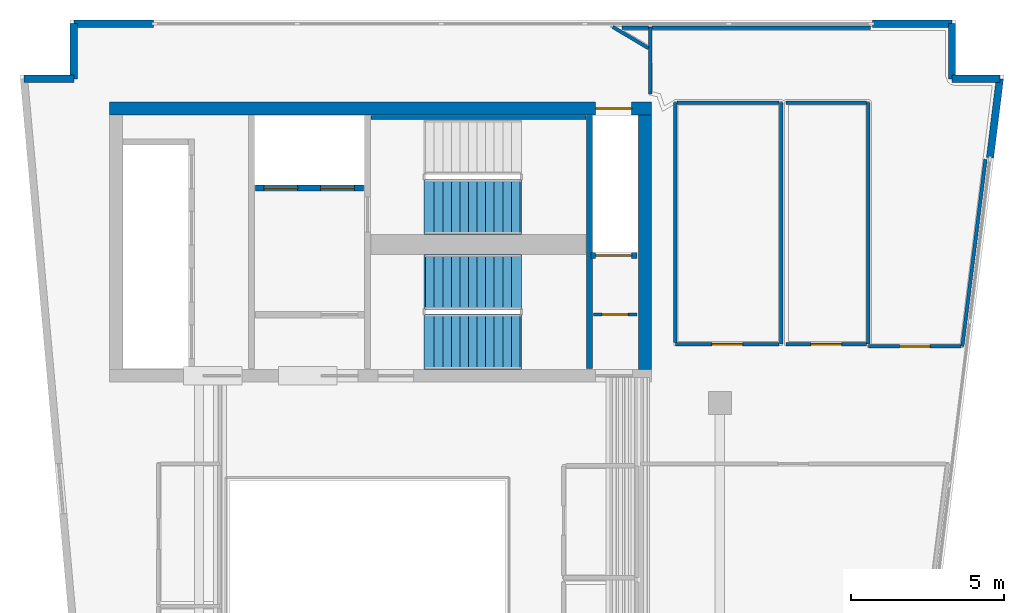
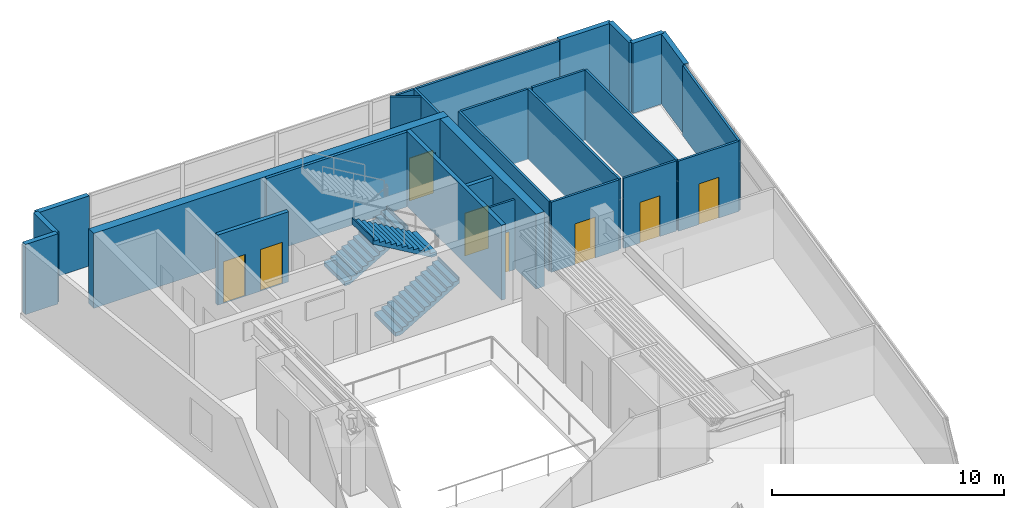
# One storey, part 5 of 8: 27 walls, 8 doors, 3 stair flights, 8 openings, 2 elements without a shape of their own.
"""IFC4 building model written with IfcOpenShell, lengths in metres."""

from ifc_helpers import new_model, si_unit, direction, frame, frame_2d, origin, place, context, subcontext, project, spatial, polyline, rectangle, outline, extrude, material, layer, layer_set, type_object, element, fill, aggregate, save


model = new_model("IFC4")

# Units and contexts
model_context = context("Model", 3, precision=1e-05, world=origin(), true_north=direction((0.0, 1.0)))
body_context = subcontext(model_context, "Body", "Model", "MODEL_VIEW")
ifc_project = project(units=[si_unit("LENGTHUNIT", "METRE"), si_unit("AREAUNIT", "SQUARE_METRE"), si_unit("VOLUMEUNIT", "CUBIC_METRE"), si_unit("PLANEANGLEUNIT", "RADIAN"), si_unit("MASSUNIT", "GRAM", prefix="KILO")], contexts=[model_context])

# Site, building, storey
site_placement = place(None, origin())
site = spatial("IfcSite", under=ifc_project, at=site_placement, CompositionType="ELEMENT")
building_placement = place(site_placement, origin())
building = spatial("IfcBuilding", under=site, at=building_placement, Name="Caeloran Harvest Quay", CompositionType="ELEMENT")
storey_placement = place(building_placement, frame((0.0, 0.0, 260.64990234375)))
storey = spatial("IfcBuildingStorey", under=building, at=storey_placement, Name="L62", CompositionType="ELEMENT", Elevation=260.64990234375)

# Walls
ifc_material_1 = material(Name="Precast concrete C50/60", Category="concrete")
ifc_layer_1 = layer(ifc_material_1, 0.239990234375, Name="Precast concrete C50/60")
ifc_layer_set_1 = layer_set([ifc_layer_1], Name="Precast concrete C50/60")
wall_type_1 = type_object("IfcWallType", Name="ENV-WALL-EW-240", PredefinedType="STANDARD", material=ifc_layer_set_1)
wall_1_placement = place(storey_placement, frame((2.793212890625, 41.580078125, 0.0), z_axis=(0.0, 0.0, 1.0), x_axis=(1.0, 0.0, 0.0)))
element("IfcWall", 1, at=wall_1_placement, inside=storey, type_object=wall_type_1, Name="L62 Exterior Precast Concrete Facade Wall 4", PredefinedType="STANDARD", context=body_context, shape_type="SweptSolid", body=[
    extrude(rectangle(XDim=1.626708984375, YDim=0.239990234375, at=frame_2d((0.8134765625, 0.0))), origin(), (0.0, 0.0, 1.0), 3.7001953125),
])
wall_2_placement = place(storey_placement, frame((4.419921875, 41.580078125, 0.0), z_axis=(0.0, 0.0, 1.0), x_axis=(0.0, 1.0, 0.0)))
element("IfcWall", 2, at=wall_2_placement, inside=storey, type_object=wall_type_1, Name="L62 Exterior Precast Concrete Facade Wall 5", PredefinedType="STANDARD", context=body_context, shape_type="SweptSolid", body=[
    extrude(rectangle(XDim=1.7998046875, YDim=0.239990234375, at=frame_2d((0.89990234375, 0.0))), origin(), (0.0, 0.0, 1.0), 3.7001953125),
])
for number, where, z_axis, x_axis, name in (
    (3, (4.419921875, 43.3798828125, 0.0), (0.0, 0.0, 1.0), (1.0, 0.0, 0.0), "L62 Exterior Facade Corner Pier Wall 6A"),
    (4, (30.47998046875, 43.3798828125, 0.0), (0.0, 0.0, 1.0), (1.0, 0.0, 0.0), "L62 Exterior Facade Corner Pier Wall 6B"),
):
    element("IfcWall", number, at=place(storey_placement, frame(where, z_axis=z_axis, x_axis=x_axis)), inside=storey, type_object=wall_type_1, Name=name, PredefinedType="STANDARD", context=body_context, shape_type="SweptSolid", body=[
        extrude(rectangle(XDim=2.60009765625, YDim=0.239990234375, at=frame_2d((1.300048828125, 0.0))), origin(), (0.0, 0.0, 1.0), 3.7001953125),
    ])
wall_3_placement = place(storey_placement, frame((33.080078125, 43.3798828125, 0.0), z_axis=(0.0, 0.0, 1.0), x_axis=(0.0, -1.0, 0.0)))
element("IfcWall", 5, at=wall_3_placement, inside=storey, type_object=wall_type_1, Name="L62 Exterior Precast Concrete Facade Wall 7", PredefinedType="STANDARD", context=body_context, shape_type="SweptSolid", body=[
    extrude(rectangle(XDim=1.7998046875, YDim=0.239990234375, at=frame_2d((0.89990234375, 0.0))), origin(), (0.0, 0.0, 1.0), 3.7001953125),
])
wall_4_placement = place(storey_placement, frame((33.080078125, 41.580078125, 0.0), z_axis=(0.0, 0.0, 1.0), x_axis=(1.0, 0.0, 0.0)))
element("IfcWall", 6, at=wall_4_placement, inside=storey, type_object=wall_type_1, Name="L62 Exterior Precast Concrete Facade Wall 8", PredefinedType="STANDARD", context=body_context, shape_type="SweptSolid", body=[
    extrude(rectangle(XDim=1.560791015625, YDim=0.239990234375, at=frame_2d((0.7802734375, 0.0))), origin(), (0.0, 0.0, 1.0), 3.7001953125),
])
wall_5_placement = place(storey_placement, frame((34.640869140625, 41.580078125, 0.0), z_axis=(0.0, 0.0, 1.0), x_axis=(-0.123191073593, -0.992382970121, 0.0)))
element("IfcWall", 7, at=wall_5_placement, inside=storey, type_object=wall_type_1, Name="L62 Exterior Facade Corner Pier Wall 9A", PredefinedType="STANDARD", context=body_context, shape_type="SweptSolid", body=[
    extrude(rectangle(XDim=2.60009765625, YDim=0.239990234375, at=frame_2d((1.300048828125, 0.0))), origin(), (0.0, 0.0, 1.0), 3.7001953125),
])

# Wall, opening, door
ifc_material_2 = material(Name="Fire-Resisting Gypsum Core Riser Partition", Category="gypsum")
ifc_layer_2 = layer(ifc_material_2, 0.10009765625, Name="Fire-Resisting Gypsum Core Riser Partition")
ifc_layer_set_2 = layer_set([ifc_layer_2], Name="Fire-Resisting Gypsum Core Riser Partition")
wall_type_2 = type_object("IfcWallType", Name="INT-WALL-PW-100", PredefinedType="PARTITIONING", material=ifc_layer_set_2)
wall_6_placement = place(storey_placement, frame((21.3798828125, 33.889892578125, 0.0), z_axis=(0.0, 0.0, 1.0), x_axis=(1.0, 0.0, 0.0)))
wall_6 = element("IfcWall", 8, at=wall_6_placement, inside=storey, type_object=wall_type_2, Name="L62 Cleaner Store Partition Wall", PredefinedType="PARTITIONING", context=body_context, shape_type="SweptSolid", body=[
    extrude(rectangle(XDim=1.420166015625, YDim=0.10009765625, at=frame_2d((0.7099609375, 0.0))), origin(), (0.0, 0.0, 1.0), 3.7001953125),
])
opening_1_placement = place(wall_6_placement, frame((0.280029296875, 0.0, 0.0)))
opening_1 = element("IfcOpeningElement", 9, at=opening_1_placement, cuts=wall_6, Name="Opening SV-01", PredefinedType="OPENING", context=body_context, shape_type="SweptSolid", body=[
    extrude(rectangle(XDim=0.85009765625, YDim=2.10009765625, at=frame_2d((0.425048828125, 1.050048828125))), frame((0.0, 0.06005859375, 0.0), z_axis=(0.0, -1.0, 0.0), x_axis=(1.0, 0.0, 0.0)), (0.0, 0.0, 1.0), 0.1201171875),
])
ifc_material_3 = material(Name="Galvanized Painted Steel", Category="steel")
door_type_1 = type_object("IfcDoorType", Name="INTDOOR-SV-01", OperationType="NOTDEFINED", PredefinedType="DOOR", material=ifc_material_3)
door_1_placement = place(opening_1_placement, origin())
door_1 = element("IfcDoor", 10, at=door_1_placement, inside=storey, type_object=door_type_1, Name="L62 Cleaner Supply Store Access Door", OperationType="SINGLE_SWING_RIGHT", OverallHeight=2.10009765625, OverallWidth=0.85009765625, PredefinedType="DOOR", context=body_context, shape_type="SweptSolid", body=[
    extrude(rectangle(XDim=0.85009765625, YDim=2.10009765625, at=frame_2d((0.425048828125, 1.050048828125))), frame((0.0, 0.02490234375, 0.0), z_axis=(0.0, -1.0, 0.0), x_axis=(1.0, 0.0, 0.0)), (0.0, 0.0, 1.0), 0.050048828125),
])
fill(opening_1, door_1)

# Wall
ifc_material_4 = material(Name="Single-Stud Acoustic Gypsum Office Partition", Category="gypsum")
ifc_layer_3 = layer(ifc_material_4, 0.112060546875, Name="Single-Stud Acoustic Gypsum Office Partition")
ifc_layer_set_3 = layer_set([ifc_layer_3], Name="Single-Stud Acoustic Gypsum Office Partition")
wall_type_3 = type_object("IfcWallType", Name="INT-WALL-PW-112", PredefinedType="PARTITIONING", material=ifc_layer_set_3)
wall_7_placement = place(storey_placement, frame((27.5, 40.800048828125, 0.0), z_axis=(0.0, 0.0, 1.0), x_axis=(0.0, -1.0, 0.0)))
element("IfcWall", 11, at=wall_7_placement, inside=storey, type_object=wall_type_3, Name="L62 Bioinformatics Briefing Lounge Partition Wall", PredefinedType="PARTITIONING", context=body_context, shape_type="SweptSolid", body=[
    extrude(rectangle(XDim=7.880126953125, YDim=0.112060546875, at=frame_2d((3.93994140625, 0.0))), origin(), (0.0, 0.0, 1.0), 3.7001953125),
])

# Wall, opening, door
wall_8_placement = place(storey_placement, frame((27.43896484375, 32.919921875, 0.0), z_axis=(0.0, 0.0, 1.0), x_axis=(-1.0, 0.0, 0.0)))
wall_8 = element("IfcWall", 12, at=wall_8_placement, inside=storey, type_object=wall_type_3, Name="L62 Bioinformatics Briefing Lounge Partition Wall", PredefinedType="PARTITIONING", context=body_context, shape_type="SweptSolid", body=[
    extrude(rectangle(XDim=3.388916015625, YDim=0.112060546875, at=frame_2d((1.6943359375, 0.0))), origin(), (0.0, 0.0, 1.0), 3.7001953125),
])
opening_2_placement = place(wall_8_placement, frame((1.194580078125, 0.0, 0.0)))
opening_2 = element("IfcOpeningElement", 13, at=opening_2_placement, cuts=wall_8, Name="Opening ID-01", PredefinedType="OPENING", context=body_context, shape_type="SweptSolid", body=[
    extrude(rectangle(XDim=1.0, YDim=2.14990234375, at=frame_2d((0.5, 1.074951171875))), frame((0.0, 0.06591796875, 0.0), z_axis=(0.0, -1.0, 0.0), x_axis=(1.0, 0.0, 0.0)), (0.0, 0.0, 1.0), 0.132080078125),
])
ifc_material_5 = material(Name="FSC Solid-Core Ash Timber and Acoustic Seal", Category="wood")
door_type_2 = type_object("IfcDoorType", Name="INTDOOR-ID-01", OperationType="NOTDEFINED", PredefinedType="DOOR", material=ifc_material_5)
door_2_placement = place(opening_2_placement, origin())
door_2 = element("IfcDoor", 14, at=door_2_placement, inside=storey, type_object=door_type_2, Name="L62 Bioinformatics Briefing Lounge Access Door", OperationType="SINGLE_SWING_RIGHT", OverallHeight=2.14990234375, OverallWidth=1.0, PredefinedType="DOOR", context=body_context, shape_type="SweptSolid", body=[
    extrude(rectangle(XDim=1.0, YDim=2.14990234375, at=frame_2d((0.5, 1.074951171875))), frame((0.0, 0.02490234375, 0.0), z_axis=(0.0, -1.0, 0.0), x_axis=(1.0, 0.0, 0.0)), (0.0, 0.0, 1.0), 0.050048828125),
])
fill(opening_2, door_2)

# Walls
wall_9_placement = place(storey_placement, frame((24.050048828125, 32.98095703125, 0.0), z_axis=(0.0, 0.0, 1.0), x_axis=(0.0, 1.0, 0.0)))
element("IfcWall", 15, at=wall_9_placement, inside=storey, type_object=wall_type_3, Name="L62 Bioinformatics Briefing Lounge Partition Wall", PredefinedType="PARTITIONING", context=body_context, shape_type="SweptSolid", body=[
    extrude(rectangle(XDim=7.819091796875, YDim=0.112060546875, at=frame_2d((3.90966796875, 0.0))), origin(), (0.0, 0.0, 1.0), 3.7001953125),
])
wall_10_placement = place(storey_placement, frame((24.111083984375, 40.800048828125, 0.0), z_axis=(0.0, 0.0, 1.0), x_axis=(1.0, 0.0, 0.0)))
element("IfcWall", 16, at=wall_10_placement, inside=storey, type_object=wall_type_3, Name="L62 Bioinformatics Briefing Lounge Partition Wall", PredefinedType="PARTITIONING", context=body_context, shape_type="SweptSolid", body=[
    extrude(rectangle(XDim=3.327880859375, YDim=0.112060546875, at=frame_2d((1.6640625, 0.0))), origin(), (0.0, 0.0, 1.0), 3.7001953125),
])
wall_11_placement = place(storey_placement, frame((30.35009765625, 40.800048828125, 0.0), z_axis=(0.0, 0.0, 1.0), x_axis=(0.0, -1.0, 0.0)))
element("IfcWall", 17, at=wall_11_placement, inside=storey, type_object=wall_type_3, Name="L62 Seed Imaging Laboratory Partition Wall", PredefinedType="PARTITIONING", context=body_context, shape_type="SweptSolid", body=[
    extrude(rectangle(XDim=7.880126953125, YDim=0.112060546875, at=frame_2d((3.93994140625, 0.0))), origin(), (0.0, 0.0, 1.0), 3.7001953125),
])

# Wall, opening, door
wall_12_placement = place(storey_placement, frame((30.2890625, 32.919921875, 0.0), z_axis=(0.0, 0.0, 1.0), x_axis=(-1.0, 0.0, 0.0)))
wall_12 = element("IfcWall", 18, at=wall_12_placement, inside=storey, type_object=wall_type_3, Name="L62 Seed Imaging Laboratory Partition Wall", PredefinedType="PARTITIONING", context=body_context, shape_type="SweptSolid", body=[
    extrude(rectangle(XDim=2.629150390625, YDim=0.112060546875, at=frame_2d((1.314453125, 0.0))), origin(), (0.0, 0.0, 1.0), 3.7001953125),
])
opening_3_placement = place(wall_12_placement, frame((0.814453125, 0.0, 0.0)))
opening_3 = element("IfcOpeningElement", 19, at=opening_3_placement, cuts=wall_12, Name="Opening ID-01", PredefinedType="OPENING", context=body_context, shape_type="SweptSolid", body=[
    extrude(rectangle(XDim=1.0, YDim=2.14990234375, at=frame_2d((0.5, 1.074951171875))), frame((0.0, 0.06591796875, 0.0), z_axis=(0.0, -1.0, 0.0), x_axis=(1.0, 0.0, 0.0)), (0.0, 0.0, 1.0), 0.132080078125),
])
door_3_placement = place(opening_3_placement, origin())
door_3 = element("IfcDoor", 20, at=door_3_placement, inside=storey, type_object=door_type_2, Name="L62 Seed Imaging Laboratory Access Door", OperationType="SINGLE_SWING_LEFT", OverallHeight=2.14990234375, OverallWidth=1.0, PredefinedType="DOOR", context=body_context, shape_type="SweptSolid", body=[
    extrude(rectangle(XDim=1.0, YDim=2.14990234375, at=frame_2d((0.5, 1.074951171875))), frame((0.0, 0.02490234375, 0.0), z_axis=(0.0, -1.0, 0.0), x_axis=(1.0, 0.0, 0.0)), (0.0, 0.0, 1.0), 0.050048828125),
])
fill(opening_3, door_3)

# Walls
wall_13_placement = place(storey_placement, frame((27.659912109375, 40.800048828125, 0.0), z_axis=(0.0, 0.0, 1.0), x_axis=(1.0, 0.0, 0.0)))
element("IfcWall", 21, at=wall_13_placement, inside=storey, type_object=wall_type_3, Name="L62 Seed Imaging Laboratory Partition Wall", PredefinedType="PARTITIONING", context=body_context, shape_type="SweptSolid", body=[
    extrude(rectangle(XDim=2.629150390625, YDim=0.112060546875, at=frame_2d((1.314453125, 0.0))), origin(), (0.0, 0.0, 1.0), 3.7001953125),
])
wall_14_placement = place(storey_placement, frame((23.22998046875, 41.093017578125, 0.0), z_axis=(0.0, 0.0, 1.0), x_axis=(0.0, 1.0, 0.0)))
element("IfcWall", 22, at=wall_14_placement, inside=storey, type_object=wall_type_3, Name="Private Dining Kitchen Partition Wall", PredefinedType="PARTITIONING", context=body_context, shape_type="SweptSolid", body=[
    extrude(rectangle(XDim=2.181884765625, YDim=0.112060546875, at=frame_2d((1.0908203125, 0.0))), origin(), (0.0, 0.0, 1.0), 3.7001953125),
])
wall_15_placement = place(storey_placement, frame((23.1689453125, 42.580078125, 0.0), z_axis=(0.0, 0.0, 1.0), x_axis=(-0.857763736618, 0.514044134431, 0.0)))
element("IfcWall", 23, at=wall_15_placement, inside=storey, type_object=wall_type_3, Name="Private Dining Kitchen Partition Wall", PredefinedType="PARTITIONING", context=body_context, shape_type="SweptSolid", body=[
    extrude(rectangle(XDim=1.3515625, YDim=0.112060546875, at=frame_2d((0.67578125, 0.0))), origin(), (0.0, 0.0, 1.0), 3.7001953125),
])
wall_16_placement = place(storey_placement, frame((22.30908203125, 43.239990234375, 0.0), z_axis=(0.0, 0.0, 1.0), x_axis=(1.0, 0.0, 0.0)))
element("IfcWall", 24, at=wall_16_placement, inside=storey, type_object=wall_type_3, Name="Private Dining Kitchen Partition Wall", PredefinedType="PARTITIONING", context=body_context, shape_type="SweptSolid", body=[
    extrude(rectangle(XDim=0.85986328125, YDim=0.112060546875, at=frame_2d((0.429931640625, 0.0))), origin(), (0.0, 0.0, 1.0), 3.7001953125),
])
wall_17_placement = place(storey_placement, frame((23.291015625, 43.239990234375, 0.0), z_axis=(0.0, 0.0, 1.0), x_axis=(1.0, 0.0, 0.0)))
element("IfcWall", 25, at=wall_17_placement, inside=storey, type_object=wall_type_3, Name="Private Dining Kitchen Partition Wall", PredefinedType="PARTITIONING", context=body_context, shape_type="SweptSolid", body=[
    extrude(rectangle(XDim=7.1240234375, YDim=0.112060546875, at=frame_2d((3.56201171875, 0.0))), origin(), (0.0, 0.0, 1.0), 3.7001953125),
])
wall_18_placement = place(storey_placement, frame((34.17333984375, 38.95263671875, 0.0), z_axis=(0.0, 0.0, 1.0), x_axis=(-0.123155137196, -0.992387430484, 0.0)))
element("IfcWall", 26, at=wall_18_placement, inside=storey, type_object=wall_type_3, Name="Private Dining Kitchen Partition Wall", PredefinedType="PARTITIONING", context=body_context, shape_type="SweptSolid", body=[
    extrude(rectangle(XDim=6.1494140625, YDim=0.112060546875, at=frame_2d((3.07470703125, 0.0))), origin(), (0.0, 0.0, 1.0), 3.7001953125),
])

# Wall, opening, door
wall_19_placement = place(storey_placement, frame((33.37548828125, 32.85009765625, 0.0), z_axis=(0.0, 0.0, 1.0), x_axis=(-1.0, 0.0, 0.0)))
wall_19 = element("IfcWall", 27, at=wall_19_placement, inside=storey, type_object=wall_type_3, Name="Private Dining Kitchen Partition Wall", PredefinedType="PARTITIONING", context=body_context, shape_type="SweptSolid", body=[
    extrude(rectangle(XDim=3.015380859375, YDim=0.112060546875, at=frame_2d((1.5078125, 0.0))), origin(), (0.0, 0.0, 1.0), 3.7001953125),
])
opening_4_placement = place(wall_19_placement, frame((1.0078125, 0.0, 0.0)))
opening_4 = element("IfcOpeningElement", 28, at=opening_4_placement, cuts=wall_19, Name="Opening ID-01", PredefinedType="OPENING", context=body_context, shape_type="SweptSolid", body=[
    extrude(rectangle(XDim=1.0, YDim=2.14990234375, at=frame_2d((0.5, 1.074951171875))), frame((0.0, 0.06591796875, 0.0), z_axis=(0.0, -1.0, 0.0), x_axis=(1.0, 0.0, 0.0)), (0.0, 0.0, 1.0), 0.132080078125),
])
door_4_placement = place(opening_4_placement, origin())
door_4 = element("IfcDoor", 29, at=door_4_placement, inside=storey, type_object=door_type_2, Name="Private Dining Kitchen Access Door", OperationType="SINGLE_SWING_RIGHT", OverallHeight=2.14990234375, OverallWidth=1.0, PredefinedType="DOOR", context=body_context, shape_type="SweptSolid", body=[
    extrude(rectangle(XDim=1.0, YDim=2.14990234375, at=frame_2d((0.5, 1.074951171875))), frame((0.0, 0.02490234375, 0.0), z_axis=(0.0, -1.0, 0.0), x_axis=(1.0, 0.0, 0.0)), (0.0, 0.0, 1.0), 0.050048828125),
])
fill(opening_4, door_4)

# Wall, openings, doors
ifc_material_6 = material(Name="Concrete C50/60", Category="concrete")
ifc_layer_4 = layer(ifc_material_6, 0.199951171875, Name="Concrete C50/60")
ifc_layer_set_4 = layer_set([ifc_layer_4], Name="Concrete C50/60")
wall_type_4 = type_object("IfcWallType", Name="INT-WALL-SW-200", PredefinedType="PARTITIONING", material=ifc_layer_set_4)
wall_20_placement = place(storey_placement, frame((10.340087890625, 38.02001953125, 0.0), z_axis=(0.0, 0.0, 1.0), x_axis=(1.0, 0.0, 0.0)))
wall_20 = element("IfcWall", 30, at=wall_20_placement, inside=storey, type_object=wall_type_4, Name="L62 Firefighting Lift Shaft Wall", PredefinedType="PARTITIONING", context=body_context, shape_type="SweptSolid", body=[
    extrude(rectangle(XDim=3.539794921875, YDim=0.199951171875, at=frame_2d((1.77001953125, 0.0))), origin(), (0.0, 0.0, 1.0), 3.7001953125),
])
opening_5_placement = place(wall_20_placement, frame((0.284912109375, 0.0, 0.0)))
opening_5 = element("IfcOpeningElement", 31, at=opening_5_placement, cuts=wall_20, Name="Opening LD-01", PredefinedType="OPENING", context=body_context, shape_type="SweptSolid", body=[
    extrude(rectangle(XDim=1.10009765625, YDim=2.199951171875, at=frame_2d((0.550048828125, 1.10009765625))), frame((0.0, 0.10986328125, 0.0), z_axis=(0.0, -1.0, 0.0), x_axis=(1.0, 0.0, 0.0)), (0.0, 0.0, 1.0), 0.219970703125),
])
opening_6_placement = place(wall_20_placement, frame((2.135009765625, 0.0, 0.0)))
opening_6 = element("IfcOpeningElement", 32, at=opening_6_placement, cuts=wall_20, Name="Opening LD-01", PredefinedType="OPENING", context=body_context, shape_type="SweptSolid", body=[
    extrude(rectangle(XDim=1.10009765625, YDim=2.199951171875, at=frame_2d((0.550048828125, 1.10009765625))), frame((0.0, 0.10986328125, 0.0), z_axis=(0.0, -1.0, 0.0), x_axis=(1.0, 0.0, 0.0)), (0.0, 0.0, 1.0), 0.219970703125),
])
ifc_material_7 = material(Name="Stainless Steel Grade 316", Category="steel")
door_type_3 = type_object("IfcDoorType", Name="INTDOOR-LD-01", OperationType="NOTDEFINED", PredefinedType="DOOR", material=ifc_material_7)
door_5_placement = place(opening_5_placement, origin())
door_5 = element("IfcDoor", 33, at=door_5_placement, inside=storey, type_object=door_type_3, Name="Lift FF-1 Sliding Landing Door (L62)", OperationType="DOUBLE_DOOR_SLIDING", OverallHeight=2.199951171875, OverallWidth=1.10009765625, PredefinedType="DOOR", context=body_context, shape_type="SweptSolid", body=[
    extrude(rectangle(XDim=1.10009765625, YDim=2.199951171875, at=frame_2d((0.550048828125, 1.10009765625))), frame((0.0, 0.02490234375, 0.0), z_axis=(0.0, -1.0, 0.0), x_axis=(1.0, 0.0, 0.0)), (0.0, 0.0, 1.0), 0.050048828125),
])
fill(opening_5, door_5)
door_6_placement = place(opening_6_placement, origin())
door_6 = element("IfcDoor", 34, at=door_6_placement, inside=storey, type_object=door_type_3, Name="Lift FF-2 Sliding Landing Door (L62)", OperationType="DOUBLE_DOOR_SLIDING", OverallHeight=2.199951171875, OverallWidth=1.10009765625, PredefinedType="DOOR", context=body_context, shape_type="SweptSolid", body=[
    extrude(rectangle(XDim=1.10009765625, YDim=2.199951171875, at=frame_2d((0.550048828125, 1.10009765625))), frame((0.0, 0.02490234375, 0.0), z_axis=(0.0, -1.0, 0.0), x_axis=(1.0, 0.0, 0.0)), (0.0, 0.0, 1.0), 0.050048828125),
])
fill(opening_6, door_6)

# Wall, opening, door
wall_21_placement = place(storey_placement, frame((21.300048828125, 35.820068359375, 0.0), z_axis=(0.0, 0.0, 1.0), x_axis=(1.0, 0.0, 0.0)))
wall_21 = element("IfcWall", 35, at=wall_21_placement, inside=storey, type_object=wall_type_4, Name="L62 Service Lift SV-2 Shaft Wall", PredefinedType="PARTITIONING", context=body_context, shape_type="SweptSolid", body=[
    extrude(rectangle(XDim=1.5, YDim=0.199951171875, at=frame_2d((0.75, 0.0))), origin(), (0.0, 0.0, 1.0), 3.7001953125),
])
opening_7_placement = place(wall_21_placement, frame((0.14501953125, 0.0, 0.0)))
opening_7 = element("IfcOpeningElement", 36, at=opening_7_placement, cuts=wall_21, Name="Opening LD-02", PredefinedType="OPENING", context=body_context, shape_type="SweptSolid", body=[
    extrude(rectangle(XDim=1.179931640625, YDim=2.25, at=frame_2d((0.58984375, 1.125))), frame((0.0, 0.10986328125, 0.0), z_axis=(0.0, -1.0, 0.0), x_axis=(1.0, 0.0, 0.0)), (0.0, 0.0, 1.0), 0.219970703125),
])
door_type_4 = type_object("IfcDoorType", Name="INTDOOR-LD-02", OperationType="NOTDEFINED", PredefinedType="DOOR", material=ifc_material_7)
door_7_placement = place(opening_7_placement, origin())
door_7 = element("IfcDoor", 37, at=door_7_placement, inside=storey, type_object=door_type_4, Name="Lift SV-2 Sliding Landing Door (L62)", OperationType="DOUBLE_DOOR_SLIDING", OverallHeight=2.25, OverallWidth=1.179931640625, PredefinedType="DOOR", context=body_context, shape_type="SweptSolid", body=[
    extrude(rectangle(XDim=1.179931640625, YDim=2.25, at=frame_2d((0.58984375, 1.125))), frame((0.0, 0.02490234375, 0.0), z_axis=(0.0, -1.0, 0.0), x_axis=(1.0, 0.0, 0.0)), (0.0, 0.0, 1.0), 0.050048828125),
])
fill(opening_7, door_7)

ifc_material_8 = material(Name="Concrete C60/75", Category="concrete")
ifc_layer_5 = layer(ifc_material_8, 0.419921875, Name="Concrete C60/75")
ifc_layer_set_5 = layer_set([ifc_layer_5], Name="Concrete C60/75")
wall_type_5 = type_object("IfcWallType", Name="STR-WALL-CW-420", PredefinedType="SHEAR", material=ifc_layer_set_5)
wall_22_placement = place(storey_placement, frame((5.580078125, 40.610107421875, 0.0), z_axis=(0.0, 0.0, 1.0), x_axis=(1.0, 0.0, 0.0)))
wall_22 = element("IfcWall", 38, at=wall_22_placement, inside=storey, type_object=wall_type_5, Name="L62 Rear Core Shear Wall N", PredefinedType="SHEAR", context=body_context, shape_type="SweptSolid", body=[
    extrude(rectangle(XDim=17.68994140625, YDim=0.419921875, at=frame_2d((8.844970703125, 0.0))), origin(), (0.0, 0.0, 1.0), 3.9501953125),
])
opening_8_placement = place(wall_22_placement, frame((15.864990234375, 0.0, 0.0)))
opening_8 = element("IfcOpeningElement", 39, at=opening_8_placement, cuts=wall_22, Name="Opening LD-02", PredefinedType="OPENING", context=body_context, shape_type="SweptSolid", body=[
    extrude(rectangle(XDim=1.179931640625, YDim=2.25, at=frame_2d((0.58984375, 1.125))), frame((0.0, 0.219970703125, 0.0), z_axis=(0.0, -1.0, 0.0), x_axis=(1.0, 0.0, 0.0)), (0.0, 0.0, 1.0), 0.43994140625),
])
door_8_placement = place(opening_8_placement, origin())
door_8 = element("IfcDoor", 40, at=door_8_placement, inside=storey, type_object=door_type_4, Name="Lift SV-1 Sliding Landing Door (L62)", OperationType="DOUBLE_DOOR_SLIDING", OverallHeight=2.25, OverallWidth=1.179931640625, PredefinedType="DOOR", context=body_context, shape_type="SweptSolid", body=[
    extrude(rectangle(XDim=1.179931640625, YDim=2.25, at=frame_2d((0.58984375, 1.125))), frame((0.0, 0.02490234375, 0.0), z_axis=(0.0, -1.0, 0.0), x_axis=(1.0, 0.0, 0.0)), (0.0, 0.0, 1.0), 0.050048828125),
])
fill(opening_8, door_8)

# Walls
wall_23_placement = place(storey_placement, frame((23.06005859375, 32.10009765625, 0.0), z_axis=(0.0, 0.0, 1.0), x_axis=(0.0, 1.0, 0.0)))
element("IfcWall", 41, at=wall_23_placement, inside=storey, type_object=wall_type_5, Name="L62 Rear Core Shear Wall E", PredefinedType="SHEAR", context=body_context, shape_type="SweptSolid", body=[
    extrude(rectangle(XDim=8.2998046875, YDim=0.419921875, at=frame_2d((4.14990234375, 0.0))), origin(), (0.0, 0.0, 1.0), 3.9501953125),
])
ifc_layer_6 = layer(ifc_material_8, 0.139892578125, Name="Concrete C60/75")
ifc_layer_set_6 = layer_set([ifc_layer_6], Name="Concrete C60/75")
wall_type_6 = type_object("IfcWallType", Name="STR-WALL-SW-140", PredefinedType="SHEAR", material=ifc_layer_set_6)
wall_24_placement = place(storey_placement, frame((14.1201171875, 40.320068359375, 0.0), z_axis=(0.0, 0.0, 1.0), x_axis=(1.0, 0.0, 0.0)))
element("IfcWall", 42, at=wall_24_placement, inside=storey, type_object=wall_type_6, Name="L62 Core Stair ST-C1 North Bearing Shear Wall", PredefinedType="SHEAR", context=body_context, shape_type="SweptSolid", body=[
    extrude(rectangle(XDim=7.009765625, YDim=0.139892578125, at=frame_2d((3.5048828125, 0.0))), origin(), (0.0, 0.0, 1.0), 3.9501953125),
])
ifc_layer_7 = layer(ifc_material_8, 0.199951171875, Name="Concrete C60/75")
ifc_layer_set_7 = layer_set([ifc_layer_7], Name="Concrete C60/75")
wall_type_7 = type_object("IfcWallType", Name="STR-WALL-SW-200", PredefinedType="SHEAR", material=ifc_layer_set_7)
wall_25_placement = place(storey_placement, frame((21.25, 32.1201171875, 0.0), z_axis=(0.0, 0.0, 1.0), x_axis=(0.0, 1.0, 0.0)))
element("IfcWall", 43, at=wall_25_placement, inside=storey, type_object=wall_type_7, Name="L62 Core Stair Shaft East Shear Wall", PredefinedType="SHEAR", context=body_context, shape_type="SweptSolid", body=[
    extrude(rectangle(XDim=8.259765625, YDim=0.199951171875, at=frame_2d((4.1298828125, 0.0))), origin(), (0.0, 0.0, 1.0), 3.9501953125),
])

# Stair, stair flight
stair_type = type_object("IfcStairType", Name="STAIR-STC-180", PredefinedType="HALF_TURN_STAIR", material=ifc_material_6)
stair_1_placement = place(storey_placement, origin())
stair_1 = element("IfcStair", 44, at=stair_1_placement, inside=storey, type_object=stair_type, Name="L62 Core Pressurized Exit Stair ST-C1", PredefinedType="HALF_TURN_STAIR")
stair_flight_type = type_object("IfcStairFlightType", Name="FLIGHT-STC-180", PredefinedType="STRAIGHT", material=ifc_material_6)
stair_flight_1_placement = place(storey_placement, frame((15.89990234375, 37.39990234375, 0.0), z_axis=(0.0, 0.0, 1.0), x_axis=(1.0, 0.0, 0.0)))
stair_flight_1 = element("IfcStairFlight", 45, at=stair_flight_1_placement, type_object=stair_flight_type, Name="ST-C1 flight 1", NumberOfRisers=12, NumberOfTreads=11, PredefinedType="STRAIGHT", RiserHeight=0.164583333, TreadLength=0.28, context=body_context, shape_type="SweptSolid", body=[
    extrude(outline(polyline([(-0.054931640625, -0.044921875), (-0.054931640625, -0.031982421875), (-0.054931640625, -0.018798828125), (-0.054931640625, -0.005615234375), (-0.054931640625, 0.00732421875), (-0.054931640625, 0.0205078125), (-0.054931640625, 0.03369140625), (-0.054931640625, 0.046630859375), (-0.054931640625, 0.059814453125), (-0.054931640625, 0.072998046875), (-0.054931640625, 0.0859375), (-0.054931640625, 0.09912109375), (-0.054931640625, 0.1123046875), (-0.054931640625, 0.125244140625), (-0.054931640625, 0.138427734375), (-0.054931640625, 0.1513671875), (-0.054931640625, 0.16455078125), (0.280029296875, 0.16455078125), (0.280029296875, 0.3291015625), (0.56005859375, 0.3291015625), (0.56005859375, 0.49365234375), (0.840087890625, 0.49365234375), (0.840087890625, 0.658447265625), (1.1201171875, 0.658447265625), (1.1201171875, 0.822998046875), (1.39990234375, 0.822998046875), (1.39990234375, 0.987548828125), (1.679931640625, 0.987548828125), (1.679931640625, 1.152099609375), (1.9599609375, 1.152099609375), (1.9599609375, 1.316650390625), (2.239990234375, 1.316650390625), (2.239990234375, 1.481201171875), (2.52001953125, 1.481201171875), (2.52001953125, 1.645751953125), (2.800048828125, 1.645751953125), (2.800048828125, 1.810302734375), (3.080078125, 1.810302734375), (3.080078125, 1.97509765625), (3.135009765625, 1.97509765625), (3.135009765625, 1.953857421875), (3.135009765625, 1.9326171875), (3.135009765625, 1.91162109375), (3.135009765625, 1.890380859375), (3.135009765625, 1.869140625), (3.135009765625, 1.84814453125), (3.135009765625, 1.826904296875), (3.135009765625, 1.8056640625), (3.135009765625, 1.78466796875), (3.135009765625, 1.763427734375), (3.135009765625, 1.7421875), (3.135009765625, 1.72119140625), (3.135009765625, 1.699951171875), (3.135009765625, 1.678955078125), (3.135009765625, 1.65771484375), (3.135009765625, 1.636474609375), (3.080078125, 1.636474609375), (0.21923828125, -0.044921875), (-0.054931640625, -0.044921875)])), frame((0.0, 0.89990234375, 0.0), z_axis=(0.0, -1.0, 0.0), x_axis=(1.0, 0.0, 0.0)), (0.0, 0.0, 1.0), 1.800048828125),
])
aggregate(stair_1, [stair_flight_1])

# Stair, stair flights
stair_2_placement = place(storey_placement, origin())
stair_2 = element("IfcStair", 46, at=stair_2_placement, inside=storey, type_object=stair_type, Name="L62 Core Pressurized Exit Stair ST-C2", PredefinedType="HALF_TURN_STAIR")
stair_flight_2_placement = place(storey_placement, frame((15.89990234375, 33.0, 0.0), z_axis=(0.0, 0.0, 1.0), x_axis=(1.0, 0.0, 0.0)))
stair_flight_2 = element("IfcStairFlight", 47, at=stair_flight_2_placement, type_object=stair_flight_type, Name="ST-C2 flight 1", NumberOfRisers=12, NumberOfTreads=11, PredefinedType="STRAIGHT", RiserHeight=0.164583333, TreadLength=0.28, context=body_context, shape_type="SweptSolid", body=[
    extrude(outline(polyline([(-0.054931640625, -0.044921875), (-0.054931640625, -0.031982421875), (-0.054931640625, -0.018798828125), (-0.054931640625, -0.005615234375), (-0.054931640625, 0.00732421875), (-0.054931640625, 0.0205078125), (-0.054931640625, 0.03369140625), (-0.054931640625, 0.046630859375), (-0.054931640625, 0.059814453125), (-0.054931640625, 0.072998046875), (-0.054931640625, 0.0859375), (-0.054931640625, 0.09912109375), (-0.054931640625, 0.1123046875), (-0.054931640625, 0.125244140625), (-0.054931640625, 0.138427734375), (-0.054931640625, 0.1513671875), (-0.054931640625, 0.16455078125), (0.280029296875, 0.16455078125), (0.280029296875, 0.3291015625), (0.56005859375, 0.3291015625), (0.56005859375, 0.49365234375), (0.840087890625, 0.49365234375), (0.840087890625, 0.658447265625), (1.1201171875, 0.658447265625), (1.1201171875, 0.822998046875), (1.39990234375, 0.822998046875), (1.39990234375, 0.987548828125), (1.679931640625, 0.987548828125), (1.679931640625, 1.152099609375), (1.9599609375, 1.152099609375), (1.9599609375, 1.316650390625), (2.239990234375, 1.316650390625), (2.239990234375, 1.481201171875), (2.52001953125, 1.481201171875), (2.52001953125, 1.645751953125), (2.800048828125, 1.645751953125), (2.800048828125, 1.810302734375), (3.080078125, 1.810302734375), (3.080078125, 1.97509765625), (3.135009765625, 1.97509765625), (3.135009765625, 1.953857421875), (3.135009765625, 1.9326171875), (3.135009765625, 1.91162109375), (3.135009765625, 1.890380859375), (3.135009765625, 1.869140625), (3.135009765625, 1.84814453125), (3.135009765625, 1.826904296875), (3.135009765625, 1.8056640625), (3.135009765625, 1.78466796875), (3.135009765625, 1.763427734375), (3.135009765625, 1.7421875), (3.135009765625, 1.72119140625), (3.135009765625, 1.699951171875), (3.135009765625, 1.678955078125), (3.135009765625, 1.65771484375), (3.135009765625, 1.636474609375), (3.080078125, 1.636474609375), (0.21923828125, -0.044921875), (-0.054931640625, -0.044921875)])), frame((0.0, 0.89990234375, 0.0), z_axis=(0.0, -1.0, 0.0), x_axis=(1.0, 0.0, 0.0)), (0.0, 0.0, 1.0), 1.800048828125),
])
stair_flight_3_placement = place(storey_placement, frame((18.97998046875, 34.949951171875, 1.97509765625), z_axis=(0.0, 0.0, 1.0), x_axis=(-1.0, 0.0, 0.0)))
stair_flight_3 = element("IfcStairFlight", 48, at=stair_flight_3_placement, type_object=stair_flight_type, Name="ST-C2 flight 2", NumberOfRisers=12, NumberOfTreads=11, PredefinedType="STRAIGHT", RiserHeight=0.164583333, TreadLength=0.28, context=body_context, shape_type="SweptSolid", body=[
    extrude(outline(polyline([(-0.054931640625, -0.044921875), (-0.054931640625, -0.031982421875), (-0.054931640625, -0.018798828125), (-0.054931640625, -0.005615234375), (-0.054931640625, 0.00732421875), (-0.054931640625, 0.0205078125), (-0.054931640625, 0.03369140625), (-0.054931640625, 0.046630859375), (-0.054931640625, 0.059814453125), (-0.054931640625, 0.072998046875), (-0.054931640625, 0.0859375), (-0.054931640625, 0.09912109375), (-0.054931640625, 0.1123046875), (-0.054931640625, 0.125244140625), (-0.054931640625, 0.138427734375), (-0.054931640625, 0.1513671875), (-0.054931640625, 0.16455078125), (0.280029296875, 0.16455078125), (0.280029296875, 0.3291015625), (0.56005859375, 0.3291015625), (0.56005859375, 0.49365234375), (0.840087890625, 0.49365234375), (0.840087890625, 0.658447265625), (1.1201171875, 0.658447265625), (1.1201171875, 0.822998046875), (1.39990234375, 0.822998046875), (1.39990234375, 0.987548828125), (1.679931640625, 0.987548828125), (1.679931640625, 1.152099609375), (1.9599609375, 1.152099609375), (1.9599609375, 1.316650390625), (2.239990234375, 1.316650390625), (2.239990234375, 1.481201171875), (2.52001953125, 1.481201171875), (2.52001953125, 1.645751953125), (2.800048828125, 1.645751953125), (2.800048828125, 1.810302734375), (3.080078125, 1.810302734375), (3.080078125, 1.97509765625), (3.135009765625, 1.97509765625), (3.135009765625, 1.953857421875), (3.135009765625, 1.9326171875), (3.135009765625, 1.91162109375), (3.135009765625, 1.890380859375), (3.135009765625, 1.869140625), (3.135009765625, 1.84814453125), (3.135009765625, 1.826904296875), (3.135009765625, 1.8056640625), (3.135009765625, 1.78466796875), (3.135009765625, 1.763427734375), (3.135009765625, 1.7421875), (3.135009765625, 1.72119140625), (3.135009765625, 1.699951171875), (3.135009765625, 1.678955078125), (3.135009765625, 1.65771484375), (3.135009765625, 1.636474609375), (3.080078125, 1.636474609375), (0.21923828125, -0.044921875), (-0.054931640625, -0.044921875)])), frame((0.0, 0.89990234375, 0.0), z_axis=(0.0, -1.0, 0.0), x_axis=(1.0, 0.0, 0.0)), (0.0, 0.0, 1.0), 1.800048828125),
])
aggregate(stair_2, [stair_flight_2, stair_flight_3])

save(model, "model.ifc")
